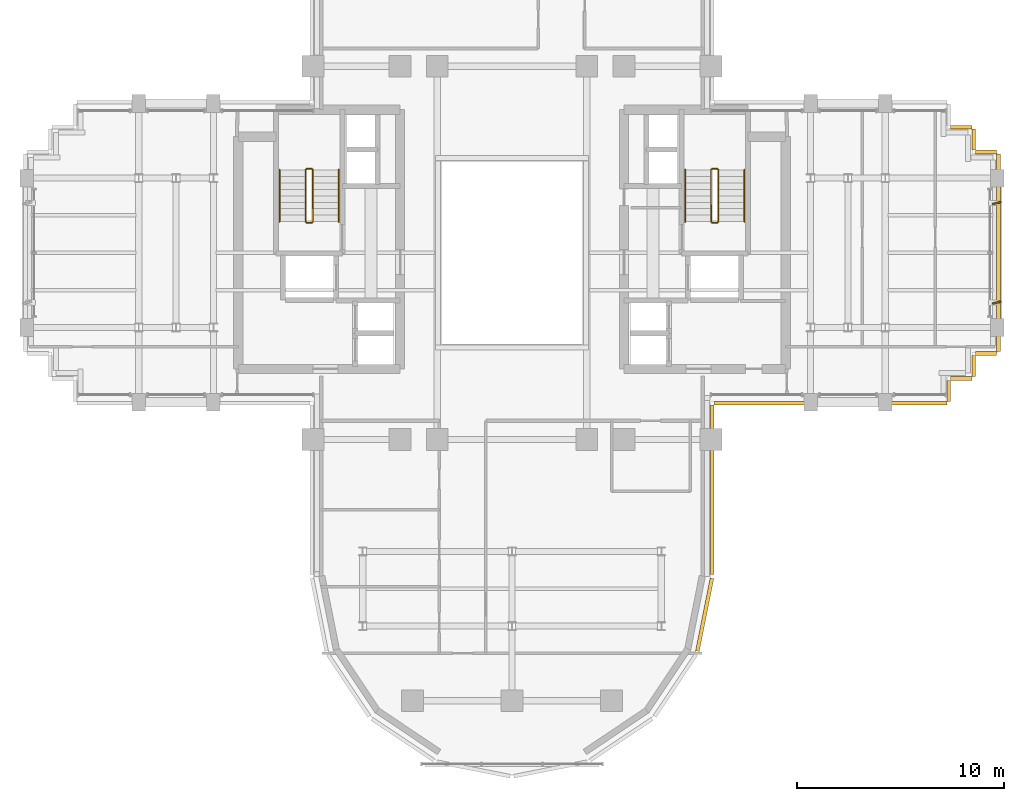
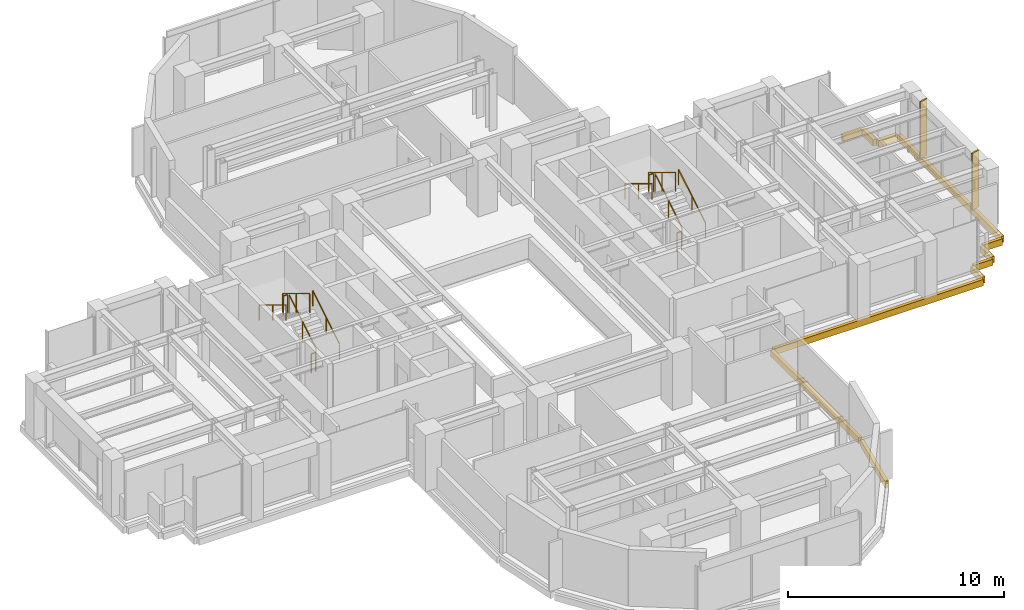
# One storey, part 13 of 14: 12 railings, 11 coverings, 2 shading devices.
"""IFC4 building model written with IfcOpenShell, lengths in metres."""

from ifc_helpers import new_model, si_unit, direction, frame, origin, origin_2d, place, context, subcontext, project, spatial, rectangle, extrude, source, transform, mapped, material, layer, layer_set, type_object, element, save


model = new_model("IFC4")

# Units and contexts
model_context = context("Model", 3, precision=1e-05, world=origin(), true_north=direction((0.0, 1.0)))
body_context = subcontext(model_context, "Body", "Model", "MODEL_VIEW")
ifc_project = project(units=[si_unit("LENGTHUNIT", "METRE"), si_unit("AREAUNIT", "SQUARE_METRE"), si_unit("VOLUMEUNIT", "CUBIC_METRE"), si_unit("PLANEANGLEUNIT", "RADIAN"), si_unit("MASSUNIT", "GRAM", prefix="KILO")], contexts=[model_context])

# Site, building, storey
site_placement = place(None, origin())
site = spatial("IfcSite", under=ifc_project, at=site_placement, CompositionType="ELEMENT")
building_placement = place(site_placement, origin())
building = spatial("IfcBuilding", under=site, at=building_placement, Name="Keilestroom Media Tower", CompositionType="ELEMENT")
storey_placement = place(building_placement, frame((0.0, 0.0, 134.60009765625)))
storey = spatial("IfcBuildingStorey", under=building, at=storey_placement, Name="L36", CompositionType="ELEMENT", Elevation=134.60009765625)

# Railings
ifc_material_1 = material(Name="Brushed Stainless Steel 1.4301", Category="steel")
railing_type_1 = type_object("IfcRailingType", Name="Stair-Pitch-Handrail-920", PredefinedType="HANDRAIL", material=ifc_material_1)
railing_1_placement = place(storey_placement, frame((-8.35009765625, 1.5, 0.188720703125)))
element("IfcRailing", 1, at=railing_1_placement, inside=storey, type_object=railing_type_1, Name="L36 ST-1 stair handrail 1", PredefinedType="HANDRAIL", context=body_context, shape_type="SweptSolid", body=[
    extrude(rectangle(XDim=0.048095703125, YDim=0.048095703125, at=origin_2d()), frame((0.0, 0.0, 0.8759765625), z_axis=(0.0, 0.855433747314, 0.517912255074), x_axis=(-1.0, 0.0, 0.0)), (0.0, 0.0, 1.0), 2.91796875),
    extrude(rectangle(XDim=0.0419921875, YDim=0.0419921875, at=origin_2d()), origin(), (0.0, 0.0, 1.0), 0.84375),
    extrude(rectangle(XDim=0.0419921875, YDim=0.0419921875, at=origin_2d()), frame((0.0, 1.248046875, 0.755615234375)), (0.0, 0.0, 1.0), 0.84375),
    extrude(rectangle(XDim=0.0419921875, YDim=0.0419921875, at=origin_2d()), frame((0.0, 2.49609375, 1.51123046875)), (0.0, 0.0, 1.0), 0.84375),
])
railing_2_placement = place(storey_placement, frame((-11.2099609375, 3.99609375, 1.888671875)))
element("IfcRailing", 2, at=railing_2_placement, inside=storey, type_object=railing_type_1, Name="L36 ST-1 stair handrail 2", PredefinedType="HANDRAIL", context=body_context, shape_type="SweptSolid", body=[
    extrude(rectangle(XDim=0.048095703125, YDim=0.048095703125, at=origin_2d()), frame((0.0, 0.0, 0.8759765625), z_axis=(0.0, -0.855433747314, 0.517912255074), x_axis=(1.0, 0.0, 0.0)), (0.0, 0.0, 1.0), 2.91796875),
    extrude(rectangle(XDim=0.0419921875, YDim=0.0419921875, at=origin_2d()), origin(), (0.0, 0.0, 1.0), 0.84375),
    extrude(rectangle(XDim=0.0419921875, YDim=0.0419921875, at=origin_2d()), frame((0.0, -1.248046875, 0.755615234375)), (0.0, 0.0, 1.0), 0.84375),
    extrude(rectangle(XDim=0.0419921875, YDim=0.0419921875, at=origin_2d()), frame((0.0, -2.49609375, 1.51123046875)), (0.0, 0.0, 1.0), 0.84375),
])
railing_3_placement = place(storey_placement, frame((11.2099609375, 1.5, 0.188720703125)))
element("IfcRailing", 3, at=railing_3_placement, inside=storey, type_object=railing_type_1, Name="L36 ST-2 stair handrail 1", PredefinedType="HANDRAIL", context=body_context, shape_type="SweptSolid", body=[
    extrude(rectangle(XDim=0.048095703125, YDim=0.048095703125, at=origin_2d()), frame((0.0, 0.0, 0.8759765625), z_axis=(0.0, 0.855433747314, 0.517912255074), x_axis=(-1.0, 0.0, 0.0)), (0.0, 0.0, 1.0), 2.91796875),
    extrude(rectangle(XDim=0.0419921875, YDim=0.0419921875, at=origin_2d()), origin(), (0.0, 0.0, 1.0), 0.84375),
    extrude(rectangle(XDim=0.0419921875, YDim=0.0419921875, at=origin_2d()), frame((0.0, 1.248046875, 0.755615234375)), (0.0, 0.0, 1.0), 0.84375),
    extrude(rectangle(XDim=0.0419921875, YDim=0.0419921875, at=origin_2d()), frame((0.0, 2.49609375, 1.51123046875)), (0.0, 0.0, 1.0), 0.84375),
])
railing_4_placement = place(storey_placement, frame((8.35009765625, 3.99609375, 1.888671875)))
element("IfcRailing", 4, at=railing_4_placement, inside=storey, type_object=railing_type_1, Name="L36 ST-2 stair handrail 2", PredefinedType="HANDRAIL", context=body_context, shape_type="SweptSolid", body=[
    extrude(rectangle(XDim=0.048095703125, YDim=0.048095703125, at=origin_2d()), frame((0.0, 0.0, 0.8759765625), z_axis=(0.0, -0.855433747314, 0.517912255074), x_axis=(1.0, 0.0, 0.0)), (0.0, 0.0, 1.0), 2.91796875),
    extrude(rectangle(XDim=0.0419921875, YDim=0.0419921875, at=origin_2d()), origin(), (0.0, 0.0, 1.0), 0.84375),
    extrude(rectangle(XDim=0.0419921875, YDim=0.0419921875, at=origin_2d()), frame((0.0, -1.248046875, 0.755615234375)), (0.0, 0.0, 1.0), 0.84375),
    extrude(rectangle(XDim=0.0419921875, YDim=0.0419921875, at=origin_2d()), frame((0.0, -2.49609375, 1.51123046875)), (0.0, 0.0, 1.0), 0.84375),
])
ifc_material_2 = material(Name="Painted Steel Balustrade", Category="steel")
railing_type_2 = type_object("IfcRailingType", Name="Stair-Well-And-Landing-Guard-1100", PredefinedType="GUARDRAIL", material=ifc_material_2)
railing_5_placement = place(storey_placement, frame((-9.610107421875, 1.5, 0.188720703125)))
element("IfcRailing", 5, at=railing_5_placement, inside=storey, type_object=railing_type_2, Name="L36 ST-1 stair guard 1", PredefinedType="GUARDRAIL", context=body_context, shape_type="SweptSolid", body=[
    extrude(rectangle(XDim=0.048095703125, YDim=0.048095703125, at=origin_2d()), frame((0.0, 0.0, 1.076171875), z_axis=(0.0, 0.855433747314, 0.517912255074), x_axis=(-1.0, 0.0, 0.0)), (0.0, 0.0, 1.0), 2.91796875),
    extrude(rectangle(XDim=0.0419921875, YDim=0.0419921875, at=origin_2d()), origin(), (0.0, 0.0, 1.0), 1.0439453125),
    extrude(rectangle(XDim=0.0419921875, YDim=0.0419921875, at=origin_2d()), frame((0.0, 1.248046875, 0.755615234375)), (0.0, 0.0, 1.0), 1.0439453125),
    extrude(rectangle(XDim=0.0419921875, YDim=0.0419921875, at=origin_2d()), frame((0.0, 2.49609375, 1.51123046875)), (0.0, 0.0, 1.0), 1.0439453125),
])
railing_6_placement = place(storey_placement, frame((-9.659912109375, 4.0458984375, 1.699951171875)))
element("IfcRailing", 6, at=railing_6_placement, inside=storey, type_object=railing_type_2, Name="L36 ST-1 stair guard 2", PredefinedType="GUARDRAIL", context=body_context, shape_type="SweptSolid", body=[
    extrude(rectangle(XDim=0.048095703125, YDim=0.048095703125, at=origin_2d()), frame((0.0, 0.0, 1.076171875), z_axis=(-1.0, 0.0, 0.0), x_axis=(0.0, -1.0, 0.0)), (0.0, 0.0, 1.0), 0.239990234375),
    extrude(rectangle(XDim=0.0419921875, YDim=0.0419921875, at=origin_2d()), origin(), (0.0, 0.0, 1.0), 1.0439453125),
    extrude(rectangle(XDim=0.0419921875, YDim=0.0419921875, at=origin_2d()), frame((-0.239990234375, 0.0, 0.0)), (0.0, 0.0, 1.0), 1.0439453125),
])
railing_7_placement = place(storey_placement, frame((-9.949951171875, 3.99609375, 1.888671875)))
element("IfcRailing", 7, at=railing_7_placement, inside=storey, type_object=railing_type_2, Name="L36 ST-1 stair guard 3", PredefinedType="GUARDRAIL", context=body_context, shape_type="SweptSolid", body=[
    extrude(rectangle(XDim=0.048095703125, YDim=0.048095703125, at=origin_2d()), frame((0.0, 0.0, 1.076171875), z_axis=(0.0, -0.855433747314, 0.517912255074), x_axis=(1.0, 0.0, 0.0)), (0.0, 0.0, 1.0), 2.91796875),
    extrude(rectangle(XDim=0.0419921875, YDim=0.0419921875, at=origin_2d()), origin(), (0.0, 0.0, 1.0), 1.0439453125),
    extrude(rectangle(XDim=0.0419921875, YDim=0.0419921875, at=origin_2d()), frame((0.0, -1.248046875, 0.755615234375)), (0.0, 0.0, 1.0), 1.0439453125),
    extrude(rectangle(XDim=0.0419921875, YDim=0.0419921875, at=origin_2d()), frame((0.0, -2.49609375, 1.51123046875)), (0.0, 0.0, 1.0), 1.0439453125),
])
railing_8_placement = place(storey_placement, frame((-9.659912109375, 1.449951171875, 0.0)))
element("IfcRailing", 8, at=railing_8_placement, inside=storey, type_object=railing_type_2, Name="L36 ST-1 stair guard 4", PredefinedType="GUARDRAIL", context=body_context, shape_type="SweptSolid", body=[
    extrude(rectangle(XDim=0.048095703125, YDim=0.048095703125, at=origin_2d()), frame((0.0, 0.0, 1.076171875), z_axis=(-1.0, 0.0, 0.0), x_axis=(0.0, -1.0, 0.0)), (0.0, 0.0, 1.0), 0.239990234375),
    extrude(rectangle(XDim=0.0419921875, YDim=0.0419921875, at=origin_2d()), origin(), (0.0, 0.0, 1.0), 1.0439453125),
    extrude(rectangle(XDim=0.0419921875, YDim=0.0419921875, at=origin_2d()), frame((-0.239990234375, 0.0, 0.0)), (0.0, 0.0, 1.0), 1.0439453125),
])
railing_9_placement = place(storey_placement, frame((9.949951171875, 1.5, 0.188720703125)))
element("IfcRailing", 9, at=railing_9_placement, inside=storey, type_object=railing_type_2, Name="L36 ST-2 stair guard 1", PredefinedType="GUARDRAIL", context=body_context, shape_type="SweptSolid", body=[
    extrude(rectangle(XDim=0.048095703125, YDim=0.048095703125, at=origin_2d()), frame((0.0, 0.0, 1.076171875), z_axis=(0.0, 0.855433747314, 0.517912255074), x_axis=(-1.0, 0.0, 0.0)), (0.0, 0.0, 1.0), 2.91796875),
    extrude(rectangle(XDim=0.0419921875, YDim=0.0419921875, at=origin_2d()), origin(), (0.0, 0.0, 1.0), 1.0439453125),
    extrude(rectangle(XDim=0.0419921875, YDim=0.0419921875, at=origin_2d()), frame((0.0, 1.248046875, 0.755615234375)), (0.0, 0.0, 1.0), 1.0439453125),
    extrude(rectangle(XDim=0.0419921875, YDim=0.0419921875, at=origin_2d()), frame((0.0, 2.49609375, 1.51123046875)), (0.0, 0.0, 1.0), 1.0439453125),
])
railing_10_placement = place(storey_placement, frame((9.89990234375, 4.0458984375, 1.699951171875)))
element("IfcRailing", 10, at=railing_10_placement, inside=storey, type_object=railing_type_2, Name="L36 ST-2 stair guard 2", PredefinedType="GUARDRAIL", context=body_context, shape_type="SweptSolid", body=[
    extrude(rectangle(XDim=0.048095703125, YDim=0.048095703125, at=origin_2d()), frame((0.0, 0.0, 1.076171875), z_axis=(-1.0, 0.0, 0.0), x_axis=(0.0, -1.0, 0.0)), (0.0, 0.0, 1.0), 0.239990234375),
    extrude(rectangle(XDim=0.0419921875, YDim=0.0419921875, at=origin_2d()), origin(), (0.0, 0.0, 1.0), 1.0439453125),
    extrude(rectangle(XDim=0.0419921875, YDim=0.0419921875, at=origin_2d()), frame((-0.239990234375, 0.0, 0.0)), (0.0, 0.0, 1.0), 1.0439453125),
])
railing_11_placement = place(storey_placement, frame((9.610107421875, 3.99609375, 1.888671875)))
element("IfcRailing", 11, at=railing_11_placement, inside=storey, type_object=railing_type_2, Name="L36 ST-2 stair guard 3", PredefinedType="GUARDRAIL", context=body_context, shape_type="SweptSolid", body=[
    extrude(rectangle(XDim=0.048095703125, YDim=0.048095703125, at=origin_2d()), frame((0.0, 0.0, 1.076171875), z_axis=(0.0, -0.855433747314, 0.517912255074), x_axis=(1.0, 0.0, 0.0)), (0.0, 0.0, 1.0), 2.91796875),
    extrude(rectangle(XDim=0.0419921875, YDim=0.0419921875, at=origin_2d()), origin(), (0.0, 0.0, 1.0), 1.0439453125),
    extrude(rectangle(XDim=0.0419921875, YDim=0.0419921875, at=origin_2d()), frame((0.0, -1.248046875, 0.755615234375)), (0.0, 0.0, 1.0), 1.0439453125),
    extrude(rectangle(XDim=0.0419921875, YDim=0.0419921875, at=origin_2d()), frame((0.0, -2.49609375, 1.51123046875)), (0.0, 0.0, 1.0), 1.0439453125),
])
railing_12_placement = place(storey_placement, frame((9.89990234375, 1.449951171875, 0.0)))
element("IfcRailing", 12, at=railing_12_placement, inside=storey, type_object=railing_type_2, Name="L36 ST-2 stair guard 4", PredefinedType="GUARDRAIL", context=body_context, shape_type="SweptSolid", body=[
    extrude(rectangle(XDim=0.048095703125, YDim=0.048095703125, at=origin_2d()), frame((0.0, 0.0, 1.076171875), z_axis=(-1.0, 0.0, 0.0), x_axis=(0.0, -1.0, 0.0)), (0.0, 0.0, 1.0), 0.239990234375),
    extrude(rectangle(XDim=0.0419921875, YDim=0.0419921875, at=origin_2d()), origin(), (0.0, 0.0, 1.0), 1.0439453125),
    extrude(rectangle(XDim=0.0419921875, YDim=0.0419921875, at=origin_2d()), frame((-0.239990234375, 0.0, 0.0)), (0.0, 0.0, 1.0), 1.0439453125),
])

# Shading devices
ifc_material_3 = material(Name="Bronze Anodised Aluminium", Category="aluminium")
shading_device_type = type_object("IfcShadingDeviceType", Name="Facade-Vertical-Sunshade-Fin-SHD-1", PredefinedType="USERDEFINED", material=ifc_material_3)
shared_shape_1 = source(origin(), body_context, "Body", "SweptSolid", [
    extrude(rectangle(XDim=0.419921875, YDim=0.080078125, at=origin_2d()), origin(), (0.0, 0.0, 1.0), 3.199951171875),
])
for number, where, z_axis, x_axis, name in (
    (13, (23.3701171875, -2.39990234375, 0.0), (0.0, 0.0, 1.0), (0.971009250968, 0.239041909578, 0.0), "L36 Twisting Sunshade Fin SHD-1 047"),
    (14, (23.3701171875, 2.39990234375, 0.0), (0.0, 0.0, 1.0), (0.971009250968, 0.239041909578, 0.0), "L36 Twisting Sunshade Fin SHD-1 048"),
):
    element("IfcShadingDevice", number, at=place(storey_placement, frame(where, z_axis=z_axis, x_axis=x_axis)), inside=storey, type_object=shading_device_type, Name=name, ObjectType="SUNSHADE", PredefinedType="USERDEFINED", context=body_context, shape_type="MappedRepresentation", body=[
        mapped(shared_shape_1, transform((0.0, 0.0, 0.0), x_axis=(1.0, 0.0, 0.0), y_axis=(0.0, 1.0, 0.0), z_axis=(0.0, 0.0, 1.0), scale=1.0)),
    ])

# Coverings
ifc_material_4 = material(Name="Precast concrete C40/50", Category="concrete")
ifc_layer = layer(ifc_material_4, 0.1201171875)
ifc_layer_set = layer_set([ifc_layer], Name="Precast concrete C40/50")
covering_type = type_object("IfcCoveringType", Name="Exterior-Precast-Spandrel-Cladding-Panel-120", PredefinedType="CLADDING", material=ifc_layer_set)
shared_shape_2 = source(origin(), body_context, "Body", "SweptSolid", [
    extrude(rectangle(XDim=1.02001953125, YDim=0.179931640625, at=origin_2d()), origin(), (0.0, 0.0, 1.0), 0.360107421875),
])
for number, where, z_axis, x_axis, name in (
    (15, (22.860107421875, -4.860107421875, -0.5400390625), (0.0, 0.0, 1.0), (-1.0, 0.0, 0.0), "L36 Precast Slab-Edge Fascia Cornice 01"),
    (16, (22.260009765625, -5.4599609375, -0.5400390625), (0.0, 0.0, 1.0), (0.0, -1.0, 0.0), "L36 Precast Slab-Edge Fascia Cornice 02"),
    (17, (21.659912109375, -6.06005859375, -0.5400390625), (0.0, 0.0, 1.0), (-1.0, 0.0, 0.0), "L36 Precast Slab-Edge Fascia Cornice 03"),
    (18, (21.06005859375, -6.659912109375, -0.5400390625), (0.0, 0.0, 1.0), (0.0, -1.0, 0.0), "L36 Precast Slab-Edge Fascia Cornice 04"),
    (19, (21.659912109375, 6.06005859375, -0.5400390625), (0.0, 0.0, 1.0), (1.0, 0.0, 0.0), "L36 Precast Slab-Edge Fascia Cornice 39"),
    (20, (22.260009765625, 5.4599609375, -0.5400390625), (0.0, 0.0, 1.0), (0.0, -1.0, 0.0), "L36 Precast Slab-Edge Fascia Cornice 40"),
    (21, (22.860107421875, 4.860107421875, -0.5400390625), (0.0, 0.0, 1.0), (1.0, 0.0, 0.0), "L36 Precast Slab-Edge Fascia Cornice 41"),
):
    element("IfcCovering", number, at=place(storey_placement, frame(where, z_axis=z_axis, x_axis=x_axis)), inside=storey, type_object=covering_type, Name=name, PredefinedType="CLADDING", context=body_context, shape_type="MappedRepresentation", body=[
        mapped(shared_shape_2, transform((0.0, 0.0, 0.0), x_axis=(1.0, 0.0, 0.0), y_axis=(0.0, 1.0, 0.0), z_axis=(0.0, 0.0, 1.0), scale=1.0)),
    ])
shared_shape_3 = source(origin(), body_context, "Body", "SweptSolid", [
    extrude(rectangle(XDim=8.166015625, YDim=0.179931640625, at=origin_2d()), origin(), (0.0, 0.0, 1.0), 0.360107421875),
])
covering_1_placement = place(storey_placement, frame((9.659912109375, -11.43310546875, -0.5400390625), z_axis=(0.0, 0.0, 1.0), x_axis=(0.0, -1.0, 0.0)))
element("IfcCovering", 22, at=covering_1_placement, inside=storey, type_object=covering_type, Name="L36 Precast Slab-Edge Fascia Cornice 06", PredefinedType="CLADDING", context=body_context, shape_type="MappedRepresentation", body=[
    mapped(shared_shape_3, transform((0.0, 0.0, 0.0), x_axis=(1.0, 0.0, 0.0), y_axis=(0.0, 1.0, 0.0), z_axis=(0.0, 0.0, 1.0), scale=1.0)),
])
shared_shape_4 = source(origin(), body_context, "Body", "SweptSolid", [
    extrude(rectangle(XDim=3.58349609375, YDim=0.179931640625, at=origin_2d()), origin(), (0.0, 0.0, 1.0), 0.360107421875),
])
covering_2_placement = place(storey_placement, frame((9.29296875, -17.45166015625, -0.5400390625), z_axis=(0.0, 0.0, 1.0), x_axis=(-0.195098880975, -0.980783577882, 0.0)))
element("IfcCovering", 23, at=covering_2_placement, inside=storey, type_object=covering_type, Name="L36 Precast Slab-Edge Fascia Cornice 07", PredefinedType="CLADDING", context=body_context, shape_type="MappedRepresentation", body=[
    mapped(shared_shape_4, transform((0.0, 0.0, 0.0), x_axis=(1.0, 0.0, 0.0), y_axis=(0.0, 1.0, 0.0), z_axis=(0.0, 0.0, 1.0), scale=1.0)),
])
shared_shape_5 = source(origin(), body_context, "Body", "SweptSolid", [
    extrude(rectangle(XDim=9.5400390625, YDim=0.179931640625, at=origin_2d()), origin(), (0.0, 0.0, 1.0), 0.360107421875),
])
covering_3_placement = place(storey_placement, frame((23.4599609375, 0.0, -0.5400390625), z_axis=(0.0, 0.0, 1.0), x_axis=(0.0, -1.0, 0.0)))
element("IfcCovering", 24, at=covering_3_placement, inside=storey, type_object=covering_type, Name="L36 Precast Slab-Edge Fascia Cornice 42", PredefinedType="CLADDING", context=body_context, shape_type="MappedRepresentation", body=[
    mapped(shared_shape_5, transform((0.0, 0.0, 0.0), x_axis=(1.0, 0.0, 0.0), y_axis=(0.0, 1.0, 0.0), z_axis=(0.0, 0.0, 1.0), scale=1.0)),
])
shared_shape_6 = source(origin(), body_context, "Body", "SweptSolid", [
    extrude(rectangle(XDim=11.219970703125, YDim=0.179931640625, at=origin_2d()), origin(), (0.0, 0.0, 1.0), 0.360107421875),
])
covering_4_placement = place(storey_placement, frame((15.360107421875, -7.260009765625, -0.5400390625), z_axis=(0.0, 0.0, 1.0), x_axis=(-1.0, 0.0, 0.0)))
element("IfcCovering", 25, at=covering_4_placement, inside=storey, type_object=covering_type, Name="L36 Precast Slab-Edge Fascia Cornice 05", PredefinedType="CLADDING", context=body_context, shape_type="MappedRepresentation", body=[
    mapped(shared_shape_6, transform((0.0, 0.0, 0.0), x_axis=(1.0, 0.0, 0.0), y_axis=(0.0, 1.0, 0.0), z_axis=(0.0, 0.0, 1.0), scale=1.0)),
])

save(model, "model.ifc")
